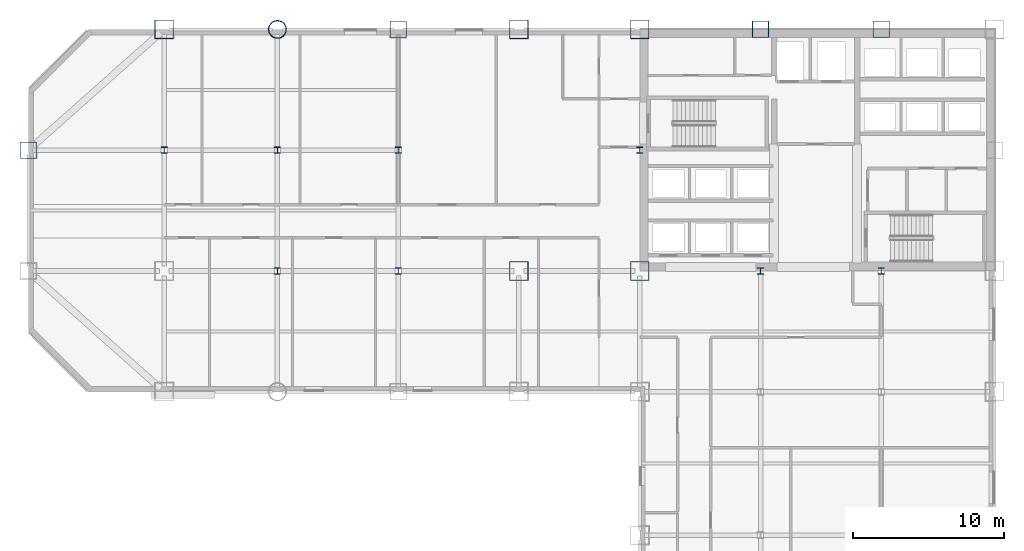
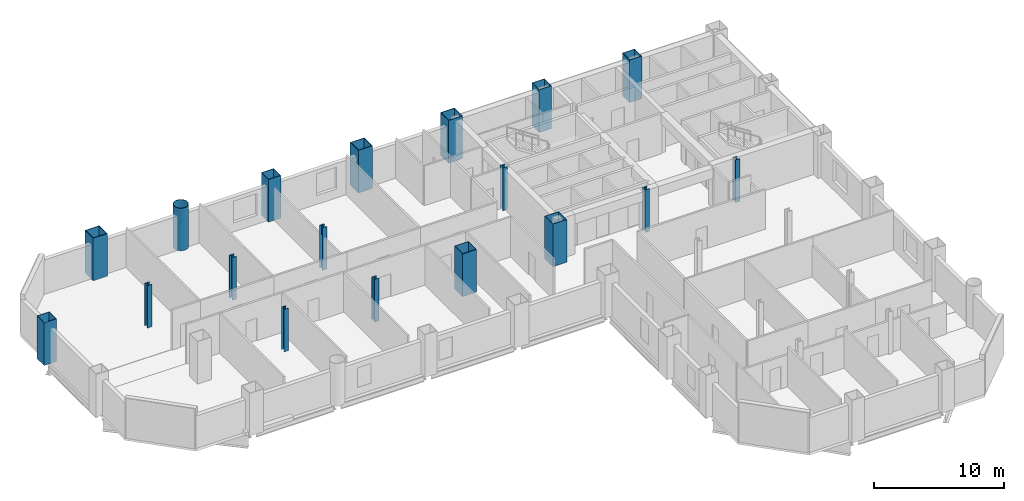
# One storey, part 2 of 9: 18 columns.
"""IFC4 building model written with IfcOpenShell, lengths in metres."""

from ifc_helpers import new_model, si_unit, direction, frame, origin, origin_2d, place, context, subcontext, project, spatial, hollow_rectangle, hollow_circle, i_section, extrude, material, material_profile, profile_set, type_object, element, save


model = new_model("IFC4")

# Units and contexts
model_context = context("Model", 3, precision=1e-05, world=origin(), true_north=direction((0.0, 1.0)))
body_context = subcontext(model_context, "Body", "Model", "MODEL_VIEW")
ifc_project = project(units=[si_unit("LENGTHUNIT", "METRE"), si_unit("AREAUNIT", "SQUARE_METRE"), si_unit("VOLUMEUNIT", "CUBIC_METRE"), si_unit("PLANEANGLEUNIT", "RADIAN"), si_unit("MASSUNIT", "GRAM", prefix="KILO")], contexts=[model_context])

# Site, building, storey
site_placement = place(None, origin())
site = spatial("IfcSite", under=ifc_project, at=site_placement, CompositionType="ELEMENT")
building_placement = place(site_placement, origin())
building = spatial("IfcBuilding", under=site, at=building_placement, Name="Qianrong Seaharbour Tower", CompositionType="ELEMENT")
storey_placement = place(building_placement, frame((0.0, 0.0, 92.199951171875)))
storey = spatial("IfcBuildingStorey", under=building, at=storey_placement, Name="L22", CompositionType="ELEMENT", Elevation=92.199951171875)

# Columns
ifc_material = material(Name="Structural steel SN490B", Category="steel")
ifc_material_profile_1 = material_profile(ifc_material, hollow_rectangle(XDim=1.25, YDim=1.25, WallThickness=0.044921875, at=origin_2d()), Name="BOX1250x1250x45")
ifc_profile_set_1 = profile_set([ifc_material_profile_1], Name="Structural steel SN490B")
column_type_1 = type_object("IfcColumnType", Name="COL-CFT-1250", PredefinedType="COLUMN", material=ifc_profile_set_1)
for number, where, z_axis, x_axis, name in (
    (1, (9.0, 52.0, 0.0), (0.0, 0.0, 1.0), (1.0, 0.0, 0.0), "L22 Column MC-2 at G2/GH"),
    (2, (32.5, 36.0, 0.0), (0.0, 0.0, 1.0), (1.0, 0.0, 0.0), "L22 Column MC-2 at G5/GF"),
    (3, (32.5, 52.0, 0.0), (0.0, 0.0, 1.0), (1.0, 0.0, 0.0), "L22 Column MC-2 at G5/GH"),
    (4, (40.5, 36.0, 0.0), (0.0, 0.0, 1.0), (1.0, 0.0, 0.0), "L22 Column MC-2 at G6/GF"),
    (5, (40.5, 52.0, 0.0), (0.0, 0.0, 1.0), (1.0, 0.0, 0.0), "L22 Column MC-2 at G6/GH"),
):
    element("IfcColumn", number, at=place(storey_placement, frame(where, z_axis=z_axis, x_axis=x_axis)), inside=storey, type_object=column_type_1, Name=name, PredefinedType="COLUMN", context=body_context, shape_type="SweptSolid", body=[
        extrude(hollow_rectangle(XDim=1.25, YDim=1.25, WallThickness=0.044921875, at=origin_2d()), origin(), (0.0, 0.0, 1.0), 4.0),
    ])
ifc_material_profile_2 = material_profile(ifc_material, hollow_circle(Radius=0.60009765625, WallThickness=0.0400390625, at=origin_2d()), Name="CHS1200x40")
ifc_profile_set_2 = profile_set([ifc_material_profile_2], Name="Structural steel SN490B")
column_type_2 = type_object("IfcColumnType", Name="COL-CHS-1200", PredefinedType="COLUMN", material=ifc_profile_set_2)
column_placement = place(storey_placement, frame((16.5, 52.0, 0.0), z_axis=(0.0, 0.0, 1.0), x_axis=(1.0, 0.0, 0.0)))
element("IfcColumn", 6, at=column_placement, inside=storey, type_object=column_type_2, Name="L22 Column CC-1 at G3/GH", PredefinedType="COLUMN", context=body_context, shape_type="SweptSolid", body=[
    extrude(hollow_circle(Radius=0.60009765625, WallThickness=0.0400390625, at=origin_2d()), origin(), (0.0, 0.0, 1.0), 4.0),
])
ifc_material_profile_3 = material_profile(ifc_material, i_section(OverallWidth=0.406982421875, OverallDepth=0.427978515625, WebThickness=0.02001953125, FlangeThickness=0.034912109375, FilletRadius=0.02197265625, at=origin_2d()), Name="H428x407x20x35")
ifc_profile_set_3 = profile_set([ifc_material_profile_3], Name="Structural steel SN490B")
column_type_3 = type_object("IfcColumnType", Name="COL-INT-H428", PredefinedType="COLUMN", material=ifc_profile_set_3)
for number, where, z_axis, x_axis, name in (
    (7, (9.0, 44.0, 0.0), (0.0, 0.0, 1.0), (1.0, 0.0, 0.0), "L22 Column IC-2 at G2/GG"),
    (8, (16.5, 36.0, 0.0), (0.0, 0.0, 1.0), (1.0, 0.0, 0.0), "L22 Column IC-2 at G3/GF"),
    (9, (16.5, 44.0, 0.0), (0.0, 0.0, 1.0), (1.0, 0.0, 0.0), "L22 Column IC-2 at G3/GG"),
    (10, (24.5, 36.0, 0.0), (0.0, 0.0, 1.0), (1.0, 0.0, 0.0), "L22 Column IC-2 at G4/GF"),
    (11, (24.5, 44.0, 0.0), (0.0, 0.0, 1.0), (1.0, 0.0, 0.0), "L22 Column IC-2 at G4/GG"),
    (12, (40.5, 44.0, 0.0), (0.0, 0.0, 1.0), (1.0, 0.0, 0.0), "L22 Column IC-2 at G6/GG"),
    (13, (48.5, 36.0, 0.0), (0.0, 0.0, 1.0), (1.0, 0.0, 0.0), "L22 Column IC-2 at G7/GF"),
    (14, (56.5, 36.0, 0.0), (0.0, 0.0, 1.0), (1.0, 0.0, 0.0), "L22 Column IC-2 at G8/GF"),
):
    element("IfcColumn", number, at=place(storey_placement, frame(where, z_axis=z_axis, x_axis=x_axis)), inside=storey, type_object=column_type_3, Name=name, PredefinedType="COLUMN", context=body_context, shape_type="SweptSolid", body=[
        extrude(i_section(OverallWidth=0.406982421875, OverallDepth=0.427978515625, WebThickness=0.02001953125, FlangeThickness=0.034912109375, FilletRadius=0.02197265625, at=origin_2d()), origin(), (0.0, 0.0, 1.0), 4.0),
    ])
ifc_material_profile_4 = material_profile(ifc_material, hollow_rectangle(XDim=1.10009765625, YDim=1.10009765625, WallThickness=0.0400390625, at=origin_2d()), Name="BOX1100x1100x40")
ifc_profile_set_4 = profile_set([ifc_material_profile_4], Name="Structural steel SN490B")
column_type_4 = type_object("IfcColumnType", Name="COL-PER-1100", PredefinedType="COLUMN", material=ifc_profile_set_4)
for number, where, z_axis, x_axis, name in (
    (15, (0.0, 44.0, 0.0), (0.0, 0.0, 1.0), (1.0, 0.0, 0.0), "L22 Column PC-1 at G1/GG"),
    (16, (24.5, 52.0, 0.0), (0.0, 0.0, 1.0), (1.0, 0.0, 0.0), "L22 Column PC-1 at G4/GH"),
    (17, (48.5, 52.0, 0.0), (0.0, 0.0, 1.0), (1.0, 0.0, 0.0), "L22 Column PC-1 at G7/GH"),
    (18, (56.5, 52.0, 0.0), (0.0, 0.0, 1.0), (1.0, 0.0, 0.0), "L22 Column PC-1 at G8/GH"),
):
    element("IfcColumn", number, at=place(storey_placement, frame(where, z_axis=z_axis, x_axis=x_axis)), inside=storey, type_object=column_type_4, Name=name, PredefinedType="COLUMN", context=body_context, shape_type="SweptSolid", body=[
        extrude(hollow_rectangle(XDim=1.10009765625, YDim=1.10009765625, WallThickness=0.0400390625, at=origin_2d()), origin(), (0.0, 0.0, 1.0), 4.0),
    ])

save(model, "model.ifc")
